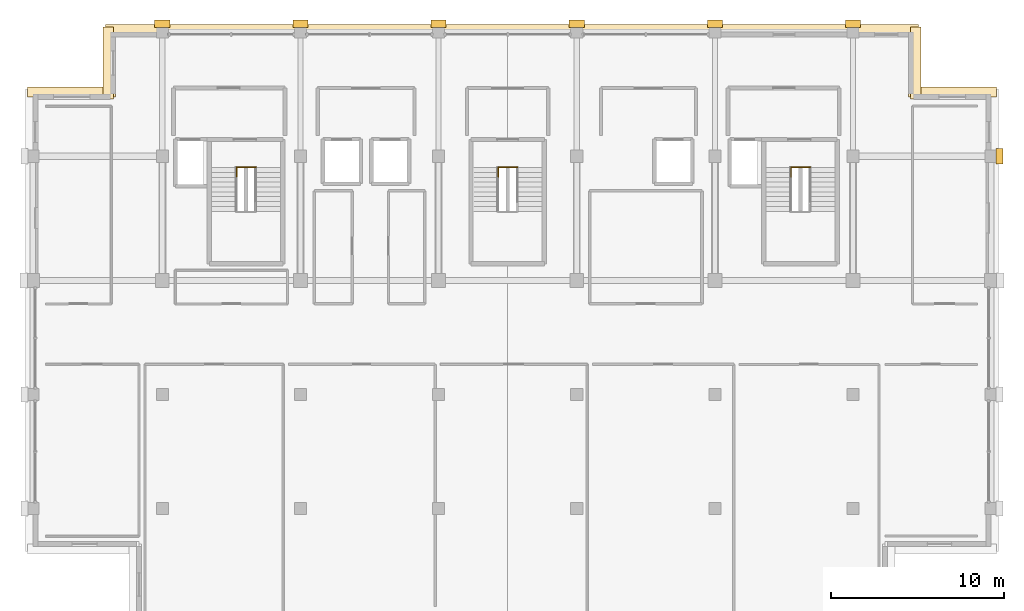
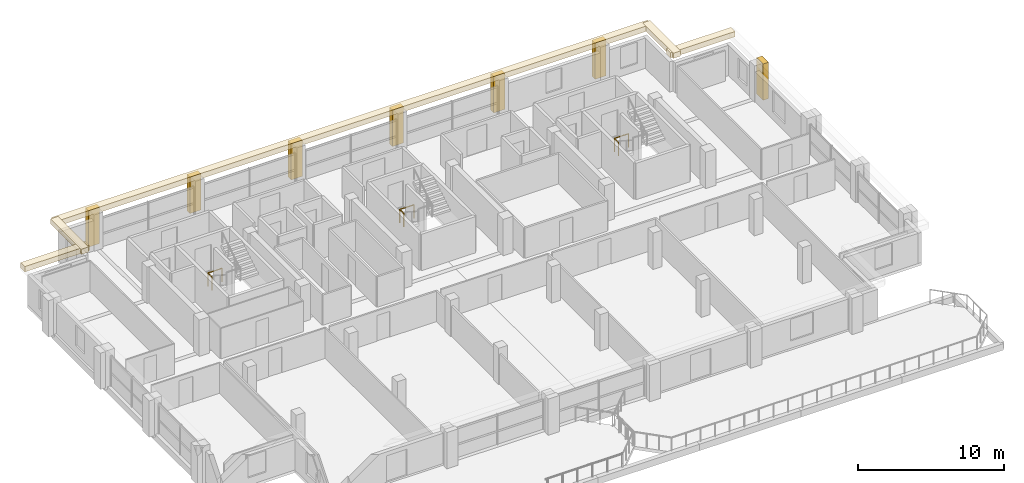
# One storey, part 21 of 21: 12 coverings, 3 railings.
"""IFC4 building model written with IfcOpenShell, lengths in metres."""

import ifcopenshell
import ifcopenshell.guid

model = None  # the IFC model being written
_history = None  # IfcOwnerHistory: only IFC2X3 demands one
_inside = {}  # id of a spatial element -> (the spatial element, [elements in it])
_under = {}  # id of a project, library or spatial element -> (it, [spatial elements below it])
_declared = {}  # id of a project -> (the project, [libraries it declares])
_typed = {}  # id of a type object -> (the type object, [elements of that type])
_made_of = {}  # id of a material, layer set ... -> (it, [elements and type objects made of it])


def new_model(schema):
    """Start an empty IFC model of exactly this schema.

    Asked for "IFC4X3", IfcOpenShell would pick the latest addendum, in which some entities
    have other attributes; the version numbers below select the first issue.
    IFC2X3 requires an IfcOwnerHistory on every rooted entity: one is made here for all.
    """
    global model, _history
    if schema == "IFC4X3":
        model = ifcopenshell.file(schema_version=(4, 3, 0, 0))
    else:
        model = ifcopenshell.file(schema=schema)
    _inside.clear()
    _under.clear()
    _declared.clear()
    _typed.clear()
    _made_of.clear()
    _history = None
    if model.schema == "IFC2X3":
        org = make("IfcOrganization", Name="unknown")
        user = make(
            "IfcPersonAndOrganization",
            ThePerson=make("IfcPerson", FamilyName="unknown"),
            TheOrganization=org,
        )
        app = make(
            "IfcApplication",
            ApplicationDeveloper=org,
            Version="unknown",
            ApplicationFullName="unknown",
            ApplicationIdentifier="unknown",
        )
        _history = make(
            "IfcOwnerHistory",
            OwningUser=user,
            OwningApplication=app,
            ChangeAction="ADDED",
            CreationDate=0,
        )
    return model


def make(cls, **values):
    """One entity of the class cls with the attributes given. An attribute that is None is left unset."""
    return model.create_entity(
        cls, **{name: value for name, value in values.items() if value is not None}
    )


def rooted(cls, **values):
    """An entity with a GlobalId (a new one), such as an element, a storey or a relation."""
    return make(cls, GlobalId=ifcopenshell.guid.new(), OwnerHistory=_history, **values)


def si_unit(unit_type, name, prefix=None):
    """IfcSIUnit, for example si_unit("LENGTHUNIT", "METRE", prefix="MILLI")."""
    return make("IfcSIUnit", UnitType=unit_type, Prefix=prefix, Name=name)


def assignment(units):
    """IfcUnitAssignment: the units of a project."""
    return None if units is None else make("IfcUnitAssignment", Units=units)


def point(xyz):
    """IfcCartesianPoint."""
    return None if xyz is None else make("IfcCartesianPoint", Coordinates=xyz)


def direction(xyz):
    """IfcDirection."""
    return None if xyz is None else make("IfcDirection", DirectionRatios=xyz)


def frame(location, z_axis=None, x_axis=None):
    """IfcAxis2Placement3D, a coordinate frame: its origin and axes. An axis left out is left unset."""
    return make(
        "IfcAxis2Placement3D",
        Location=point(location),
        Axis=direction(z_axis),
        RefDirection=direction(x_axis),
    )


def frame_2d(location, x_axis=None):
    """IfcAxis2Placement2D, a coordinate frame in the plane: its origin and x axis."""
    return make(
        "IfcAxis2Placement2D", Location=point(location), RefDirection=direction(x_axis)
    )


def origin():
    """The frame at (0, 0, 0) with its axes left unset."""
    return frame((0.0, 0.0, 0.0))


def origin_2d():
    """The frame at (0, 0) in the plane with its x axis left unset."""
    return frame_2d((0.0, 0.0))


def place(relative_to, where):
    """IfcLocalPlacement: puts the frame where relative to a parent placement (None: the world)."""
    return make(
        "IfcLocalPlacement", PlacementRelTo=relative_to, RelativePlacement=where
    )


def context(
    kind, dimensions, precision=None, world=None, true_north=None, identifier=None
):
    """IfcGeometricRepresentationContext, for example the 3D "Model" context."""
    return make(
        "IfcGeometricRepresentationContext",
        ContextIdentifier=identifier,
        ContextType=kind,
        CoordinateSpaceDimension=dimensions,
        Precision=precision,
        WorldCoordinateSystem=world,
        TrueNorth=true_north,
    )


def subcontext(parent, identifier, kind, view, scale=None):
    """IfcGeometricRepresentationSubContext, for example "Body" below "Model"."""
    return make(
        "IfcGeometricRepresentationSubContext",
        ContextIdentifier=identifier,
        ContextType=kind,
        ParentContext=parent,
        TargetScale=scale,
        TargetView=view,
    )


def project(units=None, contexts=None):
    """IfcProject with its units and contexts."""
    return rooted(
        "IfcProject",
        Name="project",
        RepresentationContexts=contexts,
        UnitsInContext=assignment(units),
    )


def spatial(cls, under=None, at=None, **own):
    """A site, building, storey or space (cls), placed at a placement, below another one or the project."""
    s = rooted(cls, ObjectPlacement=at, **own)
    if under is not None:
        _under.setdefault(under.id(), (under, []))[1].append(s)
    return s


def profile(cls, at=None, kind="AREA", **sizes):
    """A parametric profile (cls). Its sizes go by their IFC names, for example OverallWidth=200.0."""
    return make(cls, ProfileType=kind, Position=at, **sizes)


def rectangle(**sizes):
    """IfcRectangleProfileDef."""
    return profile("IfcRectangleProfileDef", **sizes)


def circle(**sizes):
    """IfcCircleProfileDef."""
    return profile("IfcCircleProfileDef", **sizes)


def extrude(swept, where, along, depth):
    """IfcExtrudedAreaSolid: the profile swept, set in the frame where, extruded along a direction by depth."""
    return make(
        "IfcExtrudedAreaSolid",
        SweptArea=swept,
        Position=where,
        ExtrudedDirection=direction(along),
        Depth=depth,
    )


def shape(context_of_items, identifier, shape_type, items):
    """IfcShapeRepresentation: the items that make up one representation, for example the "Body"."""
    return make(
        "IfcShapeRepresentation",
        ContextOfItems=context_of_items,
        RepresentationIdentifier=identifier,
        RepresentationType=shape_type,
        Items=items,
    )


def material(Name=None, Category=None):
    """IfcMaterial."""
    return make("IfcMaterial", Name=Name, Category=Category)


def layer(
    of_material, thickness, ventilated=None, Name=None, Category=None, Priority=None
):
    """IfcMaterialLayer: one layer of a wall or slab, of a material (None: an air gap)."""
    return make(
        "IfcMaterialLayer",
        Material=of_material,
        LayerThickness=thickness,
        IsVentilated=ventilated,
        Name=Name,
        Category=Category,
        Priority=Priority,
    )


def layer_set(layers, Name=None):
    """IfcMaterialLayerSet."""
    return make("IfcMaterialLayerSet", MaterialLayers=layers, LayerSetName=Name)


def made_of(thing, what):
    """Note that an element or type object is made of a material, layer set ...; save() writes the relation."""
    if what is not None:
        _made_of.setdefault(what.id(), (what, []))[1].append(thing)
    return thing


def type_object(cls, material=None, **own):
    """A type object (cls), such as IfcWallType, which elements share."""
    return made_of(rooted(cls, **own), material)


def element(
    cls,
    number,
    at=None,
    inside=None,
    cuts=None,
    type_object=None,
    material=None,
    context=None,
    identifier="Body",
    shape_type=None,
    held_by="IfcProductDefinitionShape",
    body=None,
    shapes=None,
    **own,
):
    """One element of the class cls, such as IfcWall. Its Tag is "e" and its number.

    at: its placement. inside: the storey or other place that contains it. cuts: it is an
    opening in that element (IfcRelVoidsElement). A single representation is given by context,
    identifier, shape_type and body (its items); several are given by shapes. held_by: the class
    of the entity that holds the representations. save() writes the other relations.
    """
    e = rooted(cls, Tag="e%d" % number, ObjectPlacement=at, **own)
    if body is not None:
        shapes = [shape(context, identifier, shape_type, body)]
    if shapes is not None:
        e.Representation = make(held_by, Representations=shapes)
    if inside is not None:
        _inside.setdefault(inside.id(), (inside, []))[1].append(e)
    if cuts is not None:
        rooted(
            "IfcRelVoidsElement", RelatingBuildingElement=cuts, RelatedOpeningElement=e
        )
    if type_object is not None:
        _typed.setdefault(type_object.id(), (type_object, []))[1].append(e)
    return made_of(e, material)


def aggregate(whole, parts):
    """IfcRelAggregates: a whole, such as a stair, and the parts it consists of."""
    return rooted("IfcRelAggregates", RelatingObject=whole, RelatedObjects=parts)


def save(model, path):
    """Write the relations noted so far, then the file.

    IfcRelAggregates (storeys below a building ...), IfcRelContainedInSpatialStructure (elements
    in a storey), IfcRelDefinesByType, IfcRelAssociatesMaterial and IfcRelDeclares: one each for
    every whole, place, type object, material and project.
    """
    for whole, parts in _under.values():
        aggregate(whole, parts)
    for where, things in _inside.values():
        rooted(
            "IfcRelContainedInSpatialStructure",
            RelatedElements=things,
            RelatingStructure=where,
        )
    for kind, things in _typed.values():
        rooted("IfcRelDefinesByType", RelatedObjects=things, RelatingType=kind)
    for what, things in _made_of.values():
        rooted("IfcRelAssociatesMaterial", RelatedObjects=things, RelatingMaterial=what)
    for by, libraries in _declared.values():
        rooted("IfcRelDeclares", RelatingContext=by, RelatedDefinitions=libraries)
    model.write(path)


model = new_model("IFC4")

# Units and contexts
model_context = context("Model", 3, precision=1e-05, world=origin(), true_north=direction((0.0, 1.0)))
body_context = subcontext(model_context, "Body", "Model", "MODEL_VIEW")
ifc_project = project(units=[si_unit("LENGTHUNIT", "METRE"), si_unit("AREAUNIT", "SQUARE_METRE"), si_unit("VOLUMEUNIT", "CUBIC_METRE"), si_unit("PLANEANGLEUNIT", "RADIAN"), si_unit("MASSUNIT", "GRAM", prefix="KILO")], contexts=[model_context])

# Site, building, storey
site_placement = place(None, origin())
site = spatial("IfcSite", under=ifc_project, at=site_placement, CompositionType="ELEMENT")
building_placement = place(site_placement, origin())
building = spatial("IfcBuilding", under=site, at=building_placement, Name="Akrevak Sports Hall", CompositionType="ELEMENT")
storey_placement = place(building_placement, frame((0.0, 0.0, 53.550048828125)))
storey = spatial("IfcBuildingStorey", under=building, at=storey_placement, Name="L13", CompositionType="ELEMENT", Elevation=53.550048828125)

# Coverings
ifc_material_1 = material(Name="Limestone Ashlar", Category="stone")
ifc_layer_1 = layer(ifc_material_1, 0.6201171875, Name="Limestone Ashlar")
ifc_layer_set_1 = layer_set([ifc_layer_1], Name="Limestone Ashlar")
covering_type_1 = type_object("IfcCoveringType", Name="ARC-COV-CRN-LIM", PredefinedType="MOLDING", material=ifc_layer_set_1)
covering_1_placement = place(storey_placement, frame((105.75, 66.1298828125, 2.949951171875), z_axis=(0.0, 0.0, 1.0), x_axis=(-1.0, 0.0, 0.0)))
element("IfcCovering", 1, at=covering_1_placement, inside=storey, type_object=covering_type_1, Name="Upper Tower Setback Stone Cornice L13-SET-05", PredefinedType="MOLDING", context=body_context, shape_type="SweptSolid", body=[
    extrude(rectangle(XDim=5.087890625, YDim=0.580078125, at=origin_2d()), origin(), (0.0, 0.0, 1.0), 0.43994140625),
])
covering_2_placement = place(storey_placement, frame((103.6298828125, 67.800048828125, 2.949951171875), z_axis=(0.0, 0.0, 1.0), x_axis=(0.0, 1.0, 0.0)))
element("IfcCovering", 2, at=covering_2_placement, inside=storey, type_object=covering_type_1, Name="Upper Tower Setback Stone Cornice L13-SET-06", PredefinedType="MOLDING", context=body_context, shape_type="SweptSolid", body=[
    extrude(rectangle(XDim=4.18798828125, YDim=0.580078125, at=origin_2d()), origin(), (0.0, 0.0, 1.0), 0.43994140625),
])
covering_3_placement = place(storey_placement, frame((80.25, 69.72998046875, 2.949951171875), z_axis=(0.0, 0.0, 1.0), x_axis=(-1.0, 0.0, 0.0)))
element("IfcCovering", 3, at=covering_3_placement, inside=storey, type_object=covering_type_1, Name="Upper Tower Setback Stone Cornice L13-SET-07", PredefinedType="MOLDING", context=body_context, shape_type="SweptSolid", body=[
    extrude(rectangle(XDim=47.087890625, YDim=0.580078125, at=origin_2d()), origin(), (0.0, 0.0, 1.0), 0.43994140625),
])
covering_4_placement = place(storey_placement, frame((56.8701171875, 67.800048828125, 2.949951171875), z_axis=(0.0, 0.0, 1.0), x_axis=(0.0, -1.0, 0.0)))
element("IfcCovering", 4, at=covering_4_placement, inside=storey, type_object=covering_type_1, Name="Upper Tower Setback Stone Cornice L13-SET-08", PredefinedType="MOLDING", context=body_context, shape_type="SweptSolid", body=[
    extrude(rectangle(XDim=4.18798828125, YDim=0.580078125, at=origin_2d()), origin(), (0.0, 0.0, 1.0), 0.43994140625),
])
covering_5_placement = place(storey_placement, frame((54.75, 66.1298828125, 2.949951171875), z_axis=(0.0, 0.0, 1.0), x_axis=(-1.0, 0.0, 0.0)))
element("IfcCovering", 5, at=covering_5_placement, inside=storey, type_object=covering_type_1, Name="Upper Tower Setback Stone Cornice L13-SET-09", PredefinedType="MOLDING", context=body_context, shape_type="SweptSolid", body=[
    extrude(rectangle(XDim=5.087890625, YDim=0.580078125, at=origin_2d()), origin(), (0.0, 0.0, 1.0), 0.43994140625),
])
ifc_layer_2 = layer(ifc_material_1, 0.47998046875, Name="Limestone Ashlar")
ifc_layer_set_2 = layer_set([ifc_layer_2], Name="Limestone Ashlar")
covering_type_2 = type_object("IfcCoveringType", Name="ARC-COV-PIL-LIM", PredefinedType="CLADDING", material=ifc_layer_set_2)
for number, where, z_axis, x_axis, name in (
    (6, (108.47998046875, 62.39990234375, 0.0), (0.0, 0.0, 1.0), (0.0, 1.0, 0.0), "Giant-Order Limestone Pilaster L13-04-10"),
    (7, (60.0, 70.080078125, 0.0), (0.0, 0.0, 1.0), (-1.0, 0.0, 0.0), "Giant-Order Limestone Pilaster L13-07-11"),
    (8, (68.0, 70.080078125, 0.0), (0.0, 0.0, 1.0), (-1.0, 0.0, 0.0), "Giant-Order Limestone Pilaster L13-07-12"),
    (9, (76.0, 70.080078125, 0.0), (0.0, 0.0, 1.0), (-1.0, 0.0, 0.0), "Giant-Order Limestone Pilaster L13-07-13"),
    (10, (84.0, 70.080078125, 0.0), (0.0, 0.0, 1.0), (-1.0, 0.0, 0.0), "Giant-Order Limestone Pilaster L13-07-14"),
    (11, (92.0, 70.080078125, 0.0), (0.0, 0.0, 1.0), (-1.0, 0.0, 0.0), "Giant-Order Limestone Pilaster L13-07-15"),
    (12, (100.0, 70.080078125, 0.0), (0.0, 0.0, 1.0), (-1.0, 0.0, 0.0), "Giant-Order Limestone Pilaster L13-07-16"),
):
    element("IfcCovering", number, at=place(storey_placement, frame(where, z_axis=z_axis, x_axis=x_axis)), inside=storey, type_object=covering_type_2, Name=name, PredefinedType="CLADDING", context=body_context, shape_type="SweptSolid", body=[
        extrude(rectangle(XDim=0.8798828125, YDim=0.419921875, at=origin_2d()), origin(), (0.0, 0.0, 1.0), 3.030029296875),
    ])

# Railings
ifc_material_2 = material(Name="Painted Architectural Balustrade Steel", Category="steel")
ifc_layer_3 = layer(ifc_material_2, 0.06005859375, Name="Painted Architectural Balustrade Steel")
ifc_layer_set_3 = layer_set([ifc_layer_3], Name="Painted Architectural Balustrade Steel")
railing_type = type_object("IfcRailingType", Name="ARC-RL-GRD-1120", PredefinedType="GUARDRAIL", material=ifc_layer_set_3)
railing_placement = place(storey_placement, frame((64.31005859375, 61.215087890625, 0.0)))
element("IfcRailing", 13, at=railing_placement, inside=storey, type_object=railing_type, Name="Stair Floor Landing Well Guard ST1 (L13)", PredefinedType="GUARDRAIL", context=body_context, shape_type="SweptSolid", body=[
    extrude(circle(Radius=0.02392578125, at=origin_2d()), frame((0.0, 0.0, 1.09619140625), z_axis=(0.0, 1.0, 0.0), x_axis=(-1.0, 0.0, 0.0)), (0.0, 0.0, 1.0), 0.5498046875),
    extrude(circle(Radius=0.02392578125, at=origin_2d()), frame((0.0, 0.5498046875, 1.09619140625), z_axis=(1.0, 0.0, 0.0), x_axis=(0.0, 1.0, 0.0)), (0.0, 0.0, 1.0), 1.10986328125),
    extrude(circle(Radius=0.02099609375, at=origin_2d()), origin(), (0.0, 0.0, 1.0), 1.072021484375),
    extrude(circle(Radius=0.02099609375, at=origin_2d()), frame((0.0, 0.5498046875, 0.0)), (0.0, 0.0, 1.0), 1.072021484375),
    extrude(circle(Radius=0.02099609375, at=origin_2d()), frame((1.10986328125, 0.5498046875, 0.0)), (0.0, 0.0, 1.0), 1.072021484375),
])
for number, where, name in (
    (14, (96.409912109375, 61.215087890625, 0.0), "Stair Floor Landing Well Guard ST2 (L13)"),
    (15, (79.4599609375, 61.215087890625, 0.0), "Stair Floor Landing Well Guard ST3 (L13)"),
):
    element("IfcRailing", number, at=place(storey_placement, frame(where)), inside=storey, type_object=railing_type, Name=name, PredefinedType="GUARDRAIL", context=body_context, shape_type="SweptSolid", body=[
        extrude(circle(Radius=0.02392578125, at=origin_2d()), frame((0.0, 0.0, 1.09619140625), z_axis=(0.0, 1.0, 0.0), x_axis=(-1.0, 0.0, 0.0)), (0.0, 0.0, 1.0), 0.5498046875),
        extrude(circle(Radius=0.02392578125, at=origin_2d()), frame((0.0, 0.5498046875, 1.09619140625), z_axis=(1.0, 0.0, 0.0), x_axis=(0.0, 1.0, 0.0)), (0.0, 0.0, 1.0), 1.110107421875),
        extrude(circle(Radius=0.02099609375, at=origin_2d()), origin(), (0.0, 0.0, 1.0), 1.072021484375),
        extrude(circle(Radius=0.02099609375, at=origin_2d()), frame((0.0, 0.5498046875, 0.0)), (0.0, 0.0, 1.0), 1.072021484375),
        extrude(circle(Radius=0.02099609375, at=origin_2d()), frame((1.110107421875, 0.5498046875, 0.0)), (0.0, 0.0, 1.0), 1.072021484375),
    ])

save(model, "model.ifc")
